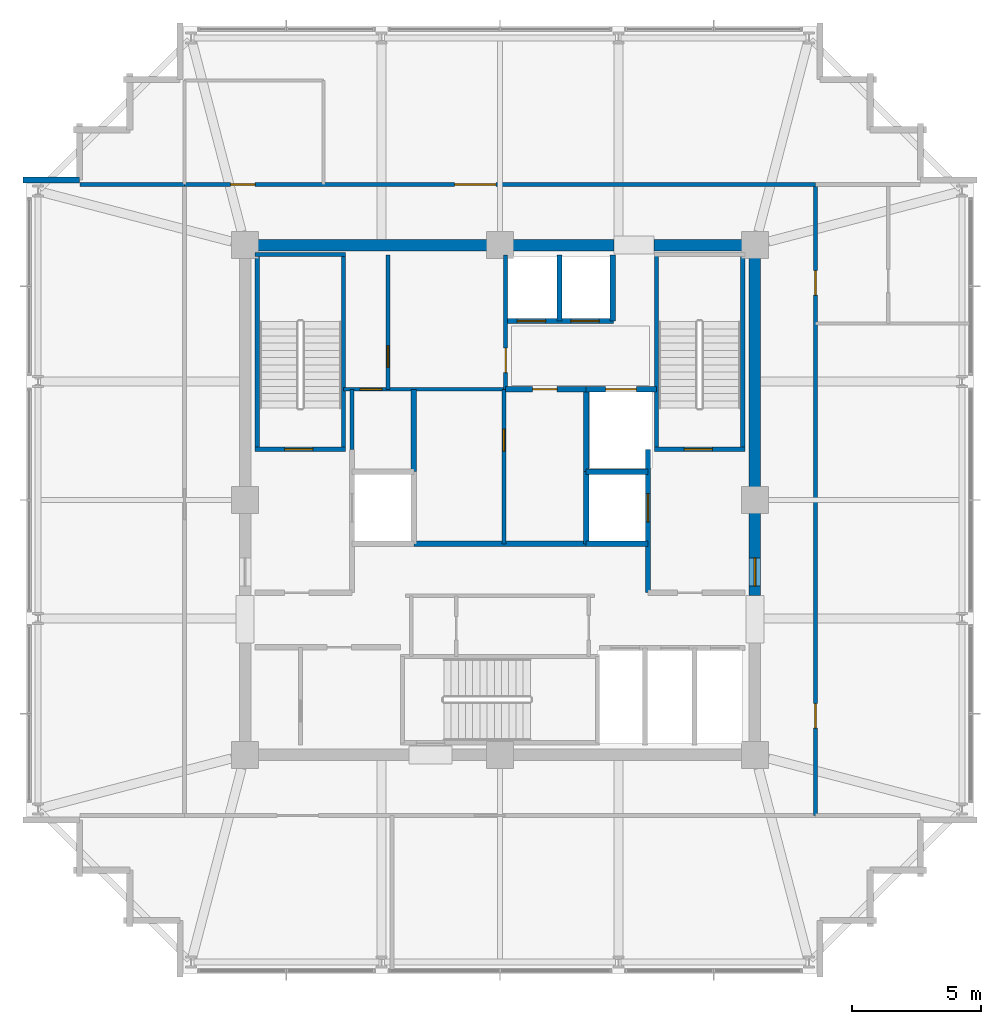
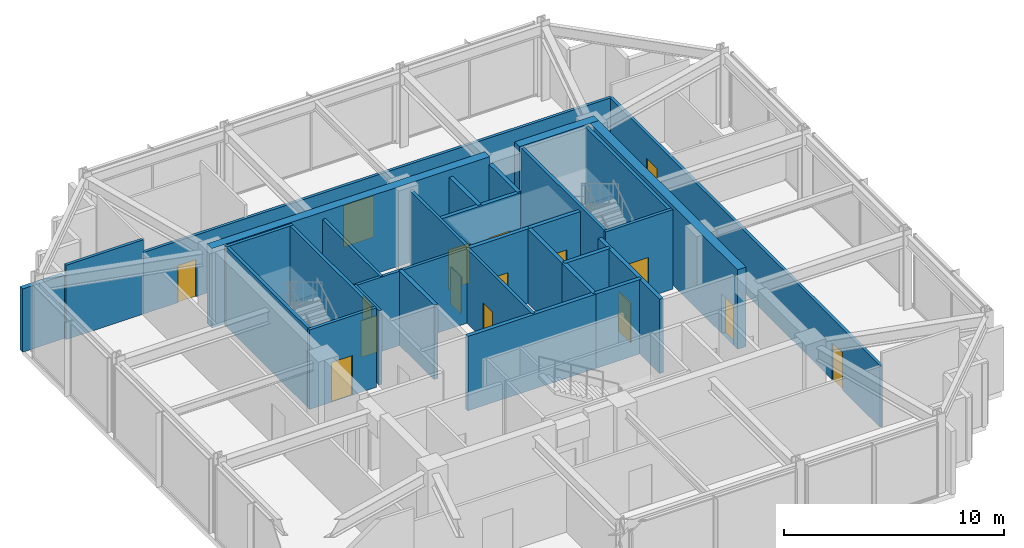
# One storey, part 24 of 26: 31 walls, 16 doors, 16 openings.
"""IFC4 building model written with IfcOpenShell, lengths in metres."""

from ifc_helpers import new_model, si_unit, direction, frame, frame_2d, origin, place, context, subcontext, project, spatial, rectangle, extrude, material, layer, layer_set, type_object, element, fill, save


model = new_model("IFC4")

# Units and contexts
model_context = context("Model", 3, precision=1e-05, world=origin(), true_north=direction((0.0, 1.0)))
body_context = subcontext(model_context, "Body", "Model", "MODEL_VIEW")
ifc_project = project(units=[si_unit("LENGTHUNIT", "METRE"), si_unit("AREAUNIT", "SQUARE_METRE"), si_unit("VOLUMEUNIT", "CUBIC_METRE"), si_unit("PLANEANGLEUNIT", "RADIAN"), si_unit("MASSUNIT", "GRAM", prefix="KILO")], contexts=[model_context])

# Site, building, storey
site_placement = place(None, origin())
site = spatial("IfcSite", under=ifc_project, at=site_placement, CompositionType="ELEMENT")
building_placement = place(site_placement, origin())
building = spatial("IfcBuilding", under=site, at=building_placement, Name="Kolvaren Belvedere", CompositionType="ELEMENT")
storey_placement = place(building_placement, frame((0.0, 0.0, 258.39990234375)))
storey = spatial("IfcBuildingStorey", under=building, at=storey_placement, Name="L75", CompositionType="ELEMENT", Elevation=258.39990234375)

# Walls
ifc_material_1 = material(Name="Concrete C50/60", Category="concrete")
ifc_layer_1 = layer(ifc_material_1, 0.449951171875)
ifc_layer_set_1 = layer_set([ifc_layer_1], Name="Concrete C50/60")
wall_type_1 = type_object("IfcWallType", Name="CW-CORE-450", PredefinedType="SHEAR", material=ifc_layer_set_1)
wall_1_placement = place(storey_placement, frame((-10.125, 9.89990234375, 0.0), z_axis=(0.0, 0.0, 1.0), x_axis=(1.0, 0.0, 0.0)))
element("IfcWall", 1, at=wall_1_placement, inside=storey, type_object=wall_type_1, Name="L75 North Core Shear Wall 1", PredefinedType="SHEAR", context=body_context, shape_type="SweptSolid", body=[
    extrude(rectangle(XDim=14.544921875, YDim=0.449951171875, at=frame_2d((7.2724609375, 0.0))), origin(), (0.0, 0.0, 1.0), 4.400146484375),
])
wall_2_placement = place(storey_placement, frame((5.97998046875, 9.89990234375, 0.0), z_axis=(0.0, 0.0, 1.0), x_axis=(1.0, 0.0, 0.0)))
element("IfcWall", 2, at=wall_2_placement, inside=storey, type_object=wall_type_1, Name="L75 North Core Shear Wall 2", PredefinedType="SHEAR", context=body_context, shape_type="SweptSolid", body=[
    extrude(rectangle(XDim=4.14501953125, YDim=0.449951171875, at=frame_2d((2.072509765625, 0.0))), origin(), (0.0, 0.0, 1.0), 4.400146484375),
])

# Wall, opening, door
wall_3_placement = place(storey_placement, frame((9.89990234375, -3.699951171875, 0.0), z_axis=(0.0, 0.0, 1.0), x_axis=(0.0, 1.0, 0.0)))
wall_3 = element("IfcWall", 3, at=wall_3_placement, inside=storey, type_object=wall_type_1, Name="L75 East Core Shear Wall 2", PredefinedType="SHEAR", context=body_context, shape_type="SweptSolid", body=[
    extrude(rectangle(XDim=13.375, YDim=0.449951171875, at=frame_2d((6.6875, 0.0))), origin(), (0.0, 0.0, 1.0), 4.400146484375),
])
opening_1_placement = place(wall_3_placement, frame((0.35009765625, 0.0, 0.0)))
opening_1 = element("IfcOpeningElement", 4, at=opening_1_placement, cuts=wall_3, Name="Opening D-FD90", PredefinedType="OPENING", context=body_context, shape_type="SweptSolid", body=[
    extrude(rectangle(XDim=1.10009765625, YDim=2.199951171875, at=frame_2d((0.550048828125, 1.10009765625))), frame((0.0, 0.23486328125, 0.0), z_axis=(0.0, -1.0, 0.0), x_axis=(1.0, 0.0, 0.0)), (0.0, 0.0, 1.0), 0.469970703125),
])
ifc_material_2 = material(Name="Painted hollow stainless steel", Category="steel")
door_type_1 = type_object("IfcDoorType", Name="DR-FD90-1100", OperationType="NOTDEFINED", PredefinedType="DOOR", material=ifc_material_2)
door_1_placement = place(opening_1_placement, origin())
door_1 = element("IfcDoor", 5, at=door_1_placement, inside=storey, type_object=door_type_1, Name="L75 East Firefighting Lobby Fire Door", OperationType="SINGLE_SWING_RIGHT", OverallHeight=2.199951171875, OverallWidth=1.10009765625, PredefinedType="DOOR", context=body_context, shape_type="SweptSolid", body=[
    extrude(rectangle(XDim=1.10009765625, YDim=2.199951171875, at=frame_2d((0.550048828125, 1.10009765625))), frame((0.0, 0.02490234375, 0.0), z_axis=(0.0, -1.0, 0.0), x_axis=(1.0, 0.0, 0.0)), (0.0, 0.0, 1.0), 0.050048828125),
])
fill(opening_1, door_1)

ifc_material_3 = material(Name="Concrete C50/60", Category="concrete")
ifc_layer_2 = layer(ifc_material_3, 0.159912109375)
ifc_layer_set_2 = layer_set([ifc_layer_2], Name="Concrete C50/60")
wall_type_2 = type_object("IfcWallType", Name="CW-STAIR-160", PredefinedType="SHEAR", material=ifc_layer_set_2)
wall_4_placement = place(storey_placement, frame((-9.52001953125, 1.969970703125, 0.0), z_axis=(0.0, 0.0, 1.0), x_axis=(1.0, 0.0, 0.0)))
wall_4 = element("IfcWall", 6, at=wall_4_placement, inside=storey, type_object=wall_type_2, Name="L75 Stair ST-1 South Shear Wall", PredefinedType="SHEAR", context=body_context, shape_type="SweptSolid", body=[
    extrude(rectangle(XDim=3.52001953125, YDim=0.159912109375, at=frame_2d((1.760009765625, 0.0))), origin(), (0.0, 0.0, 1.0), 4.400146484375),
])
opening_2_placement = place(wall_4_placement, frame((1.14990234375, 0.0, 0.0)))
opening_2 = element("IfcOpeningElement", 7, at=opening_2_placement, cuts=wall_4, Name="Opening D-FD90", PredefinedType="OPENING", context=body_context, shape_type="SweptSolid", body=[
    extrude(rectangle(XDim=1.10009765625, YDim=2.199951171875, at=frame_2d((0.550048828125, 1.10009765625))), frame((0.0, 0.08984375, 0.0), z_axis=(0.0, -1.0, 0.0), x_axis=(1.0, 0.0, 0.0)), (0.0, 0.0, 1.0), 0.179931640625),
])
door_2_placement = place(opening_2_placement, origin())
door_2 = element("IfcDoor", 8, at=door_2_placement, inside=storey, type_object=door_type_1, Name="L75 Stair ST-1 Fire Door", OperationType="SINGLE_SWING_LEFT", OverallHeight=2.199951171875, OverallWidth=1.10009765625, PredefinedType="DOOR", context=body_context, shape_type="SweptSolid", body=[
    extrude(rectangle(XDim=1.10009765625, YDim=2.199951171875, at=frame_2d((0.550048828125, 1.10009765625))), frame((0.0, 0.02490234375, 0.0), z_axis=(0.0, -1.0, 0.0), x_axis=(1.0, 0.0, 0.0)), (0.0, 0.0, 1.0), 0.050048828125),
])
fill(opening_2, door_2)

# Walls
wall_5_placement = place(storey_placement, frame((-9.52001953125, 9.530029296875, 0.0), z_axis=(0.0, 0.0, 1.0), x_axis=(1.0, 0.0, 0.0)))
element("IfcWall", 9, at=wall_5_placement, inside=storey, type_object=wall_type_2, Name="L75 Stair ST-1 North Shear Wall", PredefinedType="SHEAR", context=body_context, shape_type="SweptSolid", body=[
    extrude(rectangle(XDim=3.52001953125, YDim=0.159912109375, at=frame_2d((1.760009765625, 0.0))), origin(), (0.0, 0.0, 1.0), 4.400146484375),
])
for number, where, z_axis, x_axis, name in (
    (10, (-9.429931640625, 1.969970703125, 0.0), (0.0, 0.0, 1.0), (0.0, 1.0, 0.0), "L75 Stair ST-1 West Shear Wall"),
    (11, (-6.080078125, 1.969970703125, 0.0), (0.0, 0.0, 1.0), (0.0, 1.0, 0.0), "L75 Stair ST-1 East Shear Wall"),
):
    element("IfcWall", number, at=place(storey_placement, frame(where, z_axis=z_axis, x_axis=x_axis)), inside=storey, type_object=wall_type_2, Name=name, PredefinedType="SHEAR", context=body_context, shape_type="SweptSolid", body=[
        extrude(rectangle(XDim=7.56005859375, YDim=0.159912109375, at=frame_2d((3.780029296875, 0.0))), origin(), (0.0, 0.0, 1.0), 4.400146484375),
    ])

# Wall, opening, door
wall_6_placement = place(storey_placement, frame((6.0, 1.969970703125, 0.0), z_axis=(0.0, 0.0, 1.0), x_axis=(1.0, 0.0, 0.0)))
wall_6 = element("IfcWall", 12, at=wall_6_placement, inside=storey, type_object=wall_type_2, Name="L75 Stair ST-2 South Shear Wall", PredefinedType="SHEAR", context=body_context, shape_type="SweptSolid", body=[
    extrude(rectangle(XDim=3.52001953125, YDim=0.159912109375, at=frame_2d((1.760009765625, 0.0))), origin(), (0.0, 0.0, 1.0), 4.400146484375),
])
opening_3_placement = place(wall_6_placement, frame((1.14990234375, 0.0, 0.0)))
opening_3 = element("IfcOpeningElement", 13, at=opening_3_placement, cuts=wall_6, Name="Opening D-FD90", PredefinedType="OPENING", context=body_context, shape_type="SweptSolid", body=[
    extrude(rectangle(XDim=1.10009765625, YDim=2.199951171875, at=frame_2d((0.550048828125, 1.10009765625))), frame((0.0, 0.08984375, 0.0), z_axis=(0.0, -1.0, 0.0), x_axis=(1.0, 0.0, 0.0)), (0.0, 0.0, 1.0), 0.179931640625),
])
door_3_placement = place(opening_3_placement, origin())
door_3 = element("IfcDoor", 14, at=door_3_placement, inside=storey, type_object=door_type_1, Name="L75 Stair ST-2 Fire Door", OperationType="SINGLE_SWING_RIGHT", OverallHeight=2.199951171875, OverallWidth=1.10009765625, PredefinedType="DOOR", context=body_context, shape_type="SweptSolid", body=[
    extrude(rectangle(XDim=1.10009765625, YDim=2.199951171875, at=frame_2d((0.550048828125, 1.10009765625))), frame((0.0, 0.02490234375, 0.0), z_axis=(0.0, -1.0, 0.0), x_axis=(1.0, 0.0, 0.0)), (0.0, 0.0, 1.0), 0.050048828125),
])
fill(opening_3, door_3)

# Walls
for number, where, z_axis, x_axis, name in (
    (15, (6.080078125, 1.969970703125, 0.0), (0.0, 0.0, 1.0), (0.0, 1.0, 0.0), "L75 Stair ST-2 West Shear Wall"),
    (16, (9.429931640625, 1.969970703125, 0.0), (0.0, 0.0, 1.0), (0.0, 1.0, 0.0), "L75 Stair ST-2 East Shear Wall"),
):
    element("IfcWall", number, at=place(storey_placement, frame(where, z_axis=z_axis, x_axis=x_axis)), inside=storey, type_object=wall_type_2, Name=name, PredefinedType="SHEAR", context=body_context, shape_type="SweptSolid", body=[
        extrude(rectangle(XDim=7.56005859375, YDim=0.159912109375, at=frame_2d((3.780029296875, 0.0))), origin(), (0.0, 0.0, 1.0), 4.400146484375),
    ])

# Wall, openings, doors
ifc_material_4 = material(Name="Gypsum fire-rated partition assembly", Category="gypsum")
ifc_layer_3 = layer(ifc_material_4, 0.14990234375)
ifc_layer_set_3 = layer_set([ifc_layer_3], Name="Gypsum fire-rated partition assembly")
wall_type_3 = type_object("IfcWallType", Name="WL-CORR-150", PredefinedType="PARTITIONING", material=ifc_layer_set_3)
wall_7_placement = place(storey_placement, frame((-12.260009765625, 12.260009765625, 0.0), z_axis=(0.0, 0.0, 1.0), x_axis=(1.0, 0.0, 0.0)))
wall_7 = element("IfcWall", 17, at=wall_7_placement, inside=storey, type_object=wall_type_3, Name="L75 North Corridor Wall", PredefinedType="PARTITIONING", context=body_context, shape_type="SweptSolid", body=[
    extrude(rectangle(XDim=24.52001953125, YDim=0.14990234375, at=frame_2d((12.260009765625, 0.0))), origin(), (0.0, 0.0, 1.0), 3.4091796875),
])
opening_4_placement = place(wall_7_placement, frame((1.800048828125, 0.0, 0.0)))
opening_4 = element("IfcOpeningElement", 18, at=opening_4_placement, cuts=wall_7, Name="Opening D-INT95", PredefinedType="OPENING", context=body_context, shape_type="SweptSolid", body=[
    extrude(rectangle(XDim=0.949951171875, YDim=2.06005859375, at=frame_2d((0.47509765625, 1.030029296875))), frame((0.0, 0.0849609375, 0.0), z_axis=(0.0, -1.0, 0.0), x_axis=(1.0, 0.0, 0.0)), (0.0, 0.0, 1.0), 0.169921875),
])
opening_5_placement = place(wall_7_placement, frame((10.5, 0.0, 0.0)))
opening_5 = element("IfcOpeningElement", 19, at=opening_5_placement, cuts=wall_7, Name="Opening D-GL16", PredefinedType="OPENING", context=body_context, shape_type="SweptSolid", body=[
    extrude(rectangle(XDim=1.60009765625, YDim=2.300048828125, at=frame_2d((0.800048828125, 1.14990234375))), frame((0.0, 0.0849609375, 0.0), z_axis=(0.0, -1.0, 0.0), x_axis=(1.0, 0.0, 0.0)), (0.0, 0.0, 1.0), 0.169921875),
])
ifc_material_5 = material(Name="Anodised pale-metal aluminium & safety glass", Category="aluminium")
door_type_2 = type_object("IfcDoorType", Name="DR-GLAZ-1600", OperationType="DOUBLE_DOOR_SINGLE_SWING", PredefinedType="DOOR", material=ifc_material_5)
door_4_placement = place(opening_5_placement, origin())
door_4 = element("IfcDoor", 20, at=door_4_placement, inside=storey, type_object=door_type_2, Name="L75 North Panoramic Lounge Door", OperationType="DOUBLE_DOOR_SINGLE_SWING", OverallHeight=2.300048828125, OverallWidth=1.60009765625, PredefinedType="DOOR", context=body_context, shape_type="SweptSolid", body=[
    extrude(rectangle(XDim=1.60009765625, YDim=2.300048828125, at=frame_2d((0.800048828125, 1.14990234375))), frame((0.0, 0.02490234375, 0.0), z_axis=(0.0, -1.0, 0.0), x_axis=(1.0, 0.0, 0.0)), (0.0, 0.0, 1.0), 0.050048828125),
])
fill(opening_5, door_4)
ifc_material_6 = material(Name="Stained Pacific white oak", Category="timber")
door_type_3 = type_object("IfcDoorType", Name="DR-INT-950", OperationType="NOTDEFINED", PredefinedType="DOOR", material=ifc_material_6)
door_5_placement = place(opening_4_placement, origin())
door_5 = element("IfcDoor", 21, at=door_5_placement, inside=storey, type_object=door_type_3, Name="L75 Accessible Lounge Washroom Door", OperationType="SINGLE_SWING_LEFT", OverallHeight=2.06005859375, OverallWidth=0.949951171875, PredefinedType="DOOR", context=body_context, shape_type="SweptSolid", body=[
    extrude(rectangle(XDim=0.949951171875, YDim=2.06005859375, at=frame_2d((0.47509765625, 1.030029296875))), frame((0.0, 0.02490234375, 0.0), z_axis=(0.0, -1.0, 0.0), x_axis=(1.0, 0.0, 0.0)), (0.0, 0.0, 1.0), 0.050048828125),
])
fill(opening_4, door_5)

wall_8_placement = place(storey_placement, frame((12.260009765625, -12.260009765625, 0.0), z_axis=(0.0, 0.0, 1.0), x_axis=(0.0, 1.0, 0.0)))
wall_8 = element("IfcWall", 22, at=wall_8_placement, inside=storey, type_object=wall_type_3, Name="L75 East Corridor Wall", PredefinedType="PARTITIONING", context=body_context, shape_type="SweptSolid", body=[
    extrude(rectangle(XDim=24.52001953125, YDim=0.14990234375, at=frame_2d((12.260009765625, 0.0))), origin(), (0.0, 0.0, 1.0), 3.4091796875),
])
opening_6_placement = place(wall_8_placement, frame((3.39990234375, 0.0, 0.0)))
opening_6 = element("IfcOpeningElement", 23, at=opening_6_placement, cuts=wall_8, Name="Opening D-FD60", PredefinedType="OPENING", context=body_context, shape_type="SweptSolid", body=[
    extrude(rectangle(XDim=0.949951171875, YDim=2.06005859375, at=frame_2d((0.47509765625, 1.030029296875))), frame((0.0, 0.0849609375, 0.0), z_axis=(0.0, -1.0, 0.0), x_axis=(1.0, 0.0, 0.0)), (0.0, 0.0, 1.0), 0.169921875),
])
opening_7_placement = place(wall_8_placement, frame((20.219970703125, 0.0, 0.0)))
opening_7 = element("IfcOpeningElement", 24, at=opening_7_placement, cuts=wall_8, Name="Opening D-INT95", PredefinedType="OPENING", context=body_context, shape_type="SweptSolid", body=[
    extrude(rectangle(XDim=0.949951171875, YDim=2.06005859375, at=frame_2d((0.47509765625, 1.030029296875))), frame((0.0, 0.0849609375, 0.0), z_axis=(0.0, -1.0, 0.0), x_axis=(1.0, 0.0, 0.0)), (0.0, 0.0, 1.0), 0.169921875),
])
ifc_material_7 = material(Name="Acoustic white-oak fire door leaf", Category="timber")
door_type_4 = type_object("IfcDoorType", Name="DR-FD60-950", OperationType="NOTDEFINED", PredefinedType="DOOR", material=ifc_material_7)
door_6_placement = place(opening_6_placement, origin())
door_6 = element("IfcDoor", 25, at=door_6_placement, inside=storey, type_object=door_type_4, Name="L75 Sky Culinary Prep Kitchen Door", OperationType="SINGLE_SWING_LEFT", OverallHeight=2.06005859375, OverallWidth=0.949951171875, PredefinedType="DOOR", context=body_context, shape_type="SweptSolid", body=[
    extrude(rectangle(XDim=0.949951171875, YDim=2.06005859375, at=frame_2d((0.47509765625, 1.030029296875))), frame((0.0, 0.02490234375, 0.0), z_axis=(0.0, -1.0, 0.0), x_axis=(1.0, 0.0, 0.0)), (0.0, 0.0, 1.0), 0.050048828125),
])
fill(opening_6, door_6)
door_7_placement = place(opening_7_placement, origin())
door_7 = element("IfcDoor", 26, at=door_7_placement, inside=storey, type_object=door_type_3, Name="L75 Sky Lounge Washroom Door", OperationType="SINGLE_SWING_RIGHT", OverallHeight=2.06005859375, OverallWidth=0.949951171875, PredefinedType="DOOR", context=body_context, shape_type="SweptSolid", body=[
    extrude(rectangle(XDim=0.949951171875, YDim=2.06005859375, at=frame_2d((0.47509765625, 1.030029296875))), frame((0.0, 0.02490234375, 0.0), z_axis=(0.0, -1.0, 0.0), x_axis=(1.0, 0.0, 0.0)), (0.0, 0.0, 1.0), 0.050048828125),
])
fill(opening_7, door_7)

# Walls
wall_9_placement = place(storey_placement, frame((-16.320068359375, 12.260009765625, 0.0), z_axis=(0.0, 0.0, 1.0), x_axis=(1.0, 0.0, 0.0)))
element("IfcWall", 27, at=wall_9_placement, inside=storey, type_object=wall_type_3, Name="L75 Sector Wall PW-L75-QNW", PredefinedType="PARTITIONING", context=body_context, shape_type="SweptSolid", body=[
    extrude(rectangle(XDim=4.06005859375, YDim=0.14990234375, at=frame_2d((2.030029296875, 0.0))), origin(), (0.0, 0.0, 1.0), 4.1201171875),
])
ifc_material_8 = material(Name="Insulated pale-metal facade wall assembly", Category="aluminium")
ifc_layer_4 = layer(ifc_material_8, 0.239990234375)
ifc_layer_set_4 = layer_set([ifc_layer_4], Name="Insulated pale-metal facade wall assembly")
wall_type_4 = type_object("IfcWallType", Name="WL-EXT-240", PredefinedType="STANDARD", material=ifc_layer_set_4)
wall_10_placement = place(storey_placement, frame((-18.52001953125, 12.429931640625, 0.0), z_axis=(0.0, 0.0, 1.0), x_axis=(1.0, 0.0, 0.0)))
element("IfcWall", 28, at=wall_10_placement, inside=storey, type_object=wall_type_4, Name="L75 Serrated Corner Facade Wall 21", PredefinedType="STANDARD", context=body_context, shape_type="SweptSolid", body=[
    extrude(rectangle(XDim=2.18994140625, YDim=0.239990234375, at=frame_2d((1.094970703125, 0.0))), origin(), (0.0, 0.0, 1.0), 3.503173828125),
])

# Wall, opening, door
ifc_material_9 = material(Name="Gypsum acoustic partition assembly", Category="gypsum")
ifc_layer_5 = layer(ifc_material_9, 0.14990234375)
ifc_layer_set_5 = layer_set([ifc_layer_5], Name="Gypsum acoustic partition assembly")
wall_type_5 = type_object("IfcWallType", Name="WL-PART-150", PredefinedType="PARTITIONING", material=ifc_layer_set_5)
wall_11_placement = place(storey_placement, frame((-6.080078125, 4.300048828125, 0.0), z_axis=(0.0, 0.0, 1.0), x_axis=(1.0, 0.0, 0.0)))
wall_11 = element("IfcWall", 29, at=wall_11_placement, inside=storey, type_object=wall_type_5, Name="L75 Reclaimed Salon South Wall", PredefinedType="PARTITIONING", context=body_context, shape_type="SweptSolid", body=[
    extrude(rectangle(XDim=6.300048828125, YDim=0.14990234375, at=frame_2d((3.14990234375, 0.0))), origin(), (0.0, 0.0, 1.0), 4.1201171875),
])
opening_8_placement = place(wall_11_placement, frame((0.64990234375, 0.0, 0.0)))
opening_8 = element("IfcOpeningElement", 30, at=opening_8_placement, cuts=wall_11, Name="Opening D-INT85", PredefinedType="OPENING", context=body_context, shape_type="SweptSolid", body=[
    extrude(rectangle(XDim=0.85009765625, YDim=2.030029296875, at=frame_2d((0.425048828125, 1.01513671875))), frame((0.0, 0.0849609375, 0.0), z_axis=(0.0, -1.0, 0.0), x_axis=(1.0, 0.0, 0.0)), (0.0, 0.0, 1.0), 0.169921875),
])
ifc_material_10 = material(Name="Stained Pacific white oak", Category="timber")
door_type_5 = type_object("IfcDoorType", Name="DR-INT-850", OperationType="NOTDEFINED", PredefinedType="DOOR", material=ifc_material_10)
door_8_placement = place(opening_8_placement, origin())
door_8 = element("IfcDoor", 31, at=door_8_placement, inside=storey, type_object=door_type_5, Name="L75 NW Core Store Door", OperationType="SINGLE_SWING_RIGHT", OverallHeight=2.030029296875, OverallWidth=0.85009765625, PredefinedType="DOOR", context=body_context, shape_type="SweptSolid", body=[
    extrude(rectangle(XDim=0.85009765625, YDim=2.030029296875, at=frame_2d((0.425048828125, 1.01513671875))), frame((0.0, 0.02490234375, 0.0), z_axis=(0.0, -1.0, 0.0), x_axis=(1.0, 0.0, 0.0)), (0.0, 0.0, 1.0), 0.050048828125),
])
fill(opening_8, door_8)

wall_12_placement = place(storey_placement, frame((0.219970703125, 4.300048828125, 0.0), z_axis=(0.0, 0.0, 1.0), x_axis=(0.0, 1.0, 0.0)))
wall_12 = element("IfcWall", 32, at=wall_12_placement, inside=storey, type_object=wall_type_5, Name="L75 Reclaimed Salon East Wall", PredefinedType="PARTITIONING", context=body_context, shape_type="SweptSolid", body=[
    extrude(rectangle(XDim=5.219970703125, YDim=0.14990234375, at=frame_2d((2.60986328125, 0.0))), origin(), (0.0, 0.0, 1.0), 4.1201171875),
])
opening_9_placement = place(wall_12_placement, frame((0.64990234375, 0.0, 0.0)))
opening_9 = element("IfcOpeningElement", 33, at=opening_9_placement, cuts=wall_12, Name="Opening D-INT95", PredefinedType="OPENING", context=body_context, shape_type="SweptSolid", body=[
    extrude(rectangle(XDim=0.949951171875, YDim=2.06005859375, at=frame_2d((0.47509765625, 1.030029296875))), frame((0.0, 0.0849609375, 0.0), z_axis=(0.0, -1.0, 0.0), x_axis=(1.0, 0.0, 0.0)), (0.0, 0.0, 1.0), 0.169921875),
])
door_9_placement = place(opening_9_placement, origin())
door_9 = element("IfcDoor", 34, at=door_9_placement, inside=storey, type_object=door_type_3, Name="L75 Art Salon Door", OperationType="SINGLE_SWING_LEFT", OverallHeight=2.06005859375, OverallWidth=0.949951171875, PredefinedType="DOOR", context=body_context, shape_type="SweptSolid", body=[
    extrude(rectangle(XDim=0.949951171875, YDim=2.06005859375, at=frame_2d((0.47509765625, 1.030029296875))), frame((0.0, 0.02490234375, 0.0), z_axis=(0.0, -1.0, 0.0), x_axis=(1.0, 0.0, 0.0)), (0.0, 0.0, 1.0), 0.050048828125),
])
fill(opening_9, door_9)

wall_13_placement = place(storey_placement, frame((-4.35009765625, 4.300048828125, 0.0), z_axis=(0.0, 0.0, 1.0), x_axis=(0.0, 1.0, 0.0)))
wall_13 = element("IfcWall", 35, at=wall_13_placement, inside=storey, type_object=wall_type_5, Name="L75 Reclaimed Archive Divider", PredefinedType="PARTITIONING", context=body_context, shape_type="SweptSolid", body=[
    extrude(rectangle(XDim=5.219970703125, YDim=0.14990234375, at=frame_2d((2.60986328125, 0.0))), origin(), (0.0, 0.0, 1.0), 4.1201171875),
])
opening_10_placement = place(wall_13_placement, frame((0.85009765625, 0.0, 0.0)))
opening_10 = element("IfcOpeningElement", 36, at=opening_10_placement, cuts=wall_13, Name="Opening D-INT85", PredefinedType="OPENING", context=body_context, shape_type="SweptSolid", body=[
    extrude(rectangle(XDim=0.85009765625, YDim=2.030029296875, at=frame_2d((0.425048828125, 1.01513671875))), frame((0.0, 0.0849609375, 0.0), z_axis=(0.0, -1.0, 0.0), x_axis=(1.0, 0.0, 0.0)), (0.0, 0.0, 1.0), 0.169921875),
])
door_10_placement = place(opening_10_placement, origin())
door_10 = element("IfcDoor", 37, at=door_10_placement, inside=storey, type_object=door_type_5, Name="L75 Archive Store Door", OperationType="SINGLE_SWING_RIGHT", OverallHeight=2.030029296875, OverallWidth=0.85009765625, PredefinedType="DOOR", context=body_context, shape_type="SweptSolid", body=[
    extrude(rectangle(XDim=0.85009765625, YDim=2.030029296875, at=frame_2d((0.425048828125, 1.01513671875))), frame((0.0, 0.02490234375, 0.0), z_axis=(0.0, -1.0, 0.0), x_axis=(1.0, 0.0, 0.0)), (0.0, 0.0, 1.0), 0.050048828125),
])
fill(opening_10, door_10)

wall_14_placement = place(storey_placement, frame((0.14990234375, -1.699951171875, 0.0), z_axis=(0.0, 0.0, 1.0), x_axis=(0.0, 1.0, 0.0)))
wall_14 = element("IfcWall", 38, at=wall_14_placement, inside=storey, type_object=wall_type_5, Name="L75 Central Core V-Divider", PredefinedType="PARTITIONING", context=body_context, shape_type="SweptSolid", body=[
    extrude(rectangle(XDim=6.0, YDim=0.14990234375, at=frame_2d((3.0, 0.0))), origin(), (0.0, 0.0, 1.0), 4.1201171875),
])
opening_11_placement = place(wall_14_placement, frame((3.60009765625, 0.0, 0.0)))
opening_11 = element("IfcOpeningElement", 39, at=opening_11_placement, cuts=wall_14, Name="Opening D-INT85", PredefinedType="OPENING", context=body_context, shape_type="SweptSolid", body=[
    extrude(rectangle(XDim=0.85009765625, YDim=2.030029296875, at=frame_2d((0.425048828125, 1.01513671875))), frame((0.0, 0.0849609375, 0.0), z_axis=(0.0, -1.0, 0.0), x_axis=(1.0, 0.0, 0.0)), (0.0, 0.0, 1.0), 0.169921875),
])
door_11_placement = place(opening_11_placement, origin())
door_11 = element("IfcDoor", 40, at=door_11_placement, inside=storey, type_object=door_type_5, Name="L75 Central Linen Door", OperationType="SINGLE_SWING_RIGHT", OverallHeight=2.030029296875, OverallWidth=0.85009765625, PredefinedType="DOOR", context=body_context, shape_type="SweptSolid", body=[
    extrude(rectangle(XDim=0.85009765625, YDim=2.030029296875, at=frame_2d((0.425048828125, 1.01513671875))), frame((0.0, 0.02490234375, 0.0), z_axis=(0.0, -1.0, 0.0), x_axis=(1.0, 0.0, 0.0)), (0.0, 0.0, 1.0), 0.050048828125),
])
fill(opening_11, door_11)

# Wall
wall_15_placement = place(storey_placement, frame((-5.75, 1.969970703125, 0.0), z_axis=(0.0, 0.0, 1.0), x_axis=(0.0, 1.0, 0.0)))
element("IfcWall", 41, at=wall_15_placement, inside=storey, type_object=wall_type_5, Name="L75 NW Service Room West Wall", PredefinedType="PARTITIONING", context=body_context, shape_type="SweptSolid", body=[
    extrude(rectangle(XDim=2.330078125, YDim=0.14990234375, at=frame_2d((1.1650390625, 0.0))), origin(), (0.0, 0.0, 1.0), 4.1201171875),
])

# Wall, opening, door
ifc_material_11 = material(Name="Concrete C50/60", Category="concrete")
ifc_layer_6 = layer(ifc_material_11, 0.199951171875)
ifc_layer_set_6 = layer_set([ifc_layer_6], Name="Concrete C50/60")
wall_type_6 = type_object("IfcWallType", Name="WL-SHAFT-200", PredefinedType="SOLIDWALL", material=ifc_layer_set_6)
wall_16_placement = place(storey_placement, frame((5.75, -3.60009765625, 0.0), z_axis=(0.0, 0.0, 1.0), x_axis=(0.0, 1.0, 0.0)))
wall_16 = element("IfcWall", 42, at=wall_16_placement, inside=storey, type_object=wall_type_6, Name="L75 FSAE FS2 Landing Wall", PredefinedType="SOLIDWALL", context=body_context, shape_type="SweptSolid", body=[
    extrude(rectangle(XDim=5.570068359375, YDim=0.199951171875, at=frame_2d((2.78515625, 0.0))), origin(), (0.0, 0.0, 1.0), 4.1201171875),
])
opening_12_placement = place(wall_16_placement, frame((2.75, 0.0, 0.0)))
opening_12 = element("IfcOpeningElement", 43, at=opening_12_placement, cuts=wall_16, Name="Opening LD-11", PredefinedType="OPENING", context=body_context, shape_type="SweptSolid", body=[
    extrude(rectangle(XDim=1.10009765625, YDim=2.199951171875, at=frame_2d((0.550048828125, 1.10009765625))), frame((0.0, 0.10986328125, 0.0), z_axis=(0.0, -1.0, 0.0), x_axis=(1.0, 0.0, 0.0)), (0.0, 0.0, 1.0), 0.219970703125),
])
ifc_material_12 = material(Name="Brushed stainless steel", Category="steel")
door_type_6 = type_object("IfcDoorType", Name="DR-LIFT-1100", OperationType="DOUBLE_DOOR_SLIDING", PredefinedType="DOOR", material=ifc_material_12)
door_12_placement = place(opening_12_placement, origin())
door_12 = element("IfcDoor", 44, at=door_12_placement, inside=storey, type_object=door_type_6, Name="L75 Firefighting Lift FS2 Landing Door", OperationType="DOUBLE_DOOR_SLIDING", OverallHeight=2.199951171875, OverallWidth=1.10009765625, PredefinedType="DOOR", context=body_context, shape_type="SweptSolid", body=[
    extrude(rectangle(XDim=1.10009765625, YDim=2.199951171875, at=frame_2d((0.550048828125, 1.10009765625))), frame((0.0, 0.02490234375, 0.0), z_axis=(0.0, -1.0, 0.0), x_axis=(1.0, 0.0, 0.0)), (0.0, 0.0, 1.0), 0.050048828125),
])
fill(opening_12, door_12)

# Walls
wall_17_placement = place(storey_placement, frame((3.35009765625, -1.699951171875, 0.0), z_axis=(0.0, 0.0, 1.0), x_axis=(0.0, 1.0, 0.0)))
element("IfcWall", 45, at=wall_17_placement, inside=storey, type_object=wall_type_6, Name="L75 FSAE FS2 Back Wall", PredefinedType="SOLIDWALL", context=body_context, shape_type="SweptSolid", body=[
    extrude(rectangle(XDim=2.800048828125, YDim=0.199951171875, at=frame_2d((1.39990234375, 0.0))), origin(), (0.0, 0.0, 1.0), 4.1201171875),
])
for number, where, z_axis, x_axis, name in (
    (46, (3.35009765625, -1.699951171875, 0.0), (0.0, 0.0, 1.0), (1.0, 0.0, 0.0), "L75 FSAE FS2 South Wall"),
    (47, (3.35009765625, 1.10009765625, 0.0), (0.0, 0.0, 1.0), (1.0, 0.0, 0.0), "L75 FSAE FS2 North Wall"),
):
    element("IfcWall", number, at=place(storey_placement, frame(where, z_axis=z_axis, x_axis=x_axis)), inside=storey, type_object=wall_type_6, Name=name, PredefinedType="SOLIDWALL", context=body_context, shape_type="SweptSolid", body=[
        extrude(rectangle(XDim=2.39990234375, YDim=0.199951171875, at=frame_2d((1.199951171875, 0.0))), origin(), (0.0, 0.0, 1.0), 4.1201171875),
    ])

# Wall, opening, door
wall_18_placement = place(storey_placement, frame((3.35009765625, 4.300048828125, 0.0), z_axis=(0.0, 0.0, 1.0), x_axis=(1.0, 0.0, 0.0)))
wall_18 = element("IfcWall", 48, at=wall_18_placement, inside=storey, type_object=wall_type_6, Name="L75 Service Lift SV1 Front Wall", PredefinedType="SOLIDWALL", context=body_context, shape_type="SweptSolid", body=[
    extrude(rectangle(XDim=2.72998046875, YDim=0.199951171875, at=frame_2d((1.364990234375, 0.0))), origin(), (0.0, 0.0, 1.0), 4.1201171875),
])
opening_13_placement = place(wall_18_placement, frame((0.75, 0.0, 0.0)))
opening_13 = element("IfcOpeningElement", 49, at=opening_13_placement, cuts=wall_18, Name="Opening LD-12", PredefinedType="OPENING", context=body_context, shape_type="SweptSolid", body=[
    extrude(rectangle(XDim=1.199951171875, YDim=2.25, at=frame_2d((0.60009765625, 1.125))), frame((0.0, 0.10986328125, 0.0), z_axis=(0.0, -1.0, 0.0), x_axis=(1.0, 0.0, 0.0)), (0.0, 0.0, 1.0), 0.219970703125),
])
ifc_material_13 = material(Name="Brushed stainless steel", Category="steel")
door_type_7 = type_object("IfcDoorType", Name="DR-LIFT-1200", OperationType="DOUBLE_DOOR_SLIDING", PredefinedType="DOOR", material=ifc_material_13)
door_13_placement = place(opening_13_placement, origin())
door_13 = element("IfcDoor", 50, at=door_13_placement, inside=storey, type_object=door_type_7, Name="L75 Service Lift SV1 Landing Door", OperationType="DOUBLE_DOOR_SLIDING", OverallHeight=2.25, OverallWidth=1.199951171875, PredefinedType="DOOR", context=body_context, shape_type="SweptSolid", body=[
    extrude(rectangle(XDim=1.199951171875, YDim=2.25, at=frame_2d((0.60009765625, 1.125))), frame((0.0, 0.02490234375, 0.0), z_axis=(0.0, -1.0, 0.0), x_axis=(1.0, 0.0, 0.0)), (0.0, 0.0, 1.0), 0.050048828125),
])
fill(opening_13, door_13)

# Wall, openings, doors
wall_19_placement = place(storey_placement, frame((0.219970703125, 6.949951171875, 0.0), z_axis=(0.0, 0.0, 1.0), x_axis=(1.0, 0.0, 0.0)))
wall_19 = element("IfcWall", 51, at=wall_19_placement, inside=storey, type_object=wall_type_6, Name="L75 Express Shuttle Hoistway Wall", PredefinedType="SOLIDWALL", context=body_context, shape_type="SweptSolid", body=[
    extrude(rectangle(XDim=4.179931640625, YDim=0.199951171875, at=frame_2d((2.08984375, 0.0))), origin(), (0.0, 0.0, 1.0), 4.1201171875),
])
opening_14_placement = place(wall_19_placement, frame((0.449951171875, 0.0, 0.0)))
opening_14 = element("IfcOpeningElement", 52, at=opening_14_placement, cuts=wall_19, Name="Opening LD-11", PredefinedType="OPENING", context=body_context, shape_type="SweptSolid", body=[
    extrude(rectangle(XDim=1.10009765625, YDim=2.199951171875, at=frame_2d((0.550048828125, 1.10009765625))), frame((0.0, 0.10986328125, 0.0), z_axis=(0.0, -1.0, 0.0), x_axis=(1.0, 0.0, 0.0)), (0.0, 0.0, 1.0), 0.219970703125),
])
opening_15_placement = place(wall_19_placement, frame((2.530029296875, 0.0, 0.0)))
opening_15 = element("IfcOpeningElement", 53, at=opening_15_placement, cuts=wall_19, Name="Opening LD-11", PredefinedType="OPENING", context=body_context, shape_type="SweptSolid", body=[
    extrude(rectangle(XDim=1.10009765625, YDim=2.199951171875, at=frame_2d((0.550048828125, 1.10009765625))), frame((0.0, 0.10986328125, 0.0), z_axis=(0.0, -1.0, 0.0), x_axis=(1.0, 0.0, 0.0)), (0.0, 0.0, 1.0), 0.219970703125),
])
door_14_placement = place(opening_14_placement, origin())
door_14 = element("IfcDoor", 54, at=door_14_placement, inside=storey, type_object=door_type_6, Name="L75 Express Observation Lift EX1 Landing Door", OperationType="DOUBLE_DOOR_SLIDING", OverallHeight=2.199951171875, OverallWidth=1.10009765625, PredefinedType="DOOR", context=body_context, shape_type="SweptSolid", body=[
    extrude(rectangle(XDim=1.10009765625, YDim=2.199951171875, at=frame_2d((0.550048828125, 1.10009765625))), frame((0.0, 0.02490234375, 0.0), z_axis=(0.0, -1.0, 0.0), x_axis=(1.0, 0.0, 0.0)), (0.0, 0.0, 1.0), 0.050048828125),
])
fill(opening_14, door_14)
door_15_placement = place(opening_15_placement, origin())
door_15 = element("IfcDoor", 55, at=door_15_placement, inside=storey, type_object=door_type_6, Name="L75 Express Observation Lift EX2 Landing Door", OperationType="DOUBLE_DOOR_SLIDING", OverallHeight=2.199951171875, OverallWidth=1.10009765625, PredefinedType="DOOR", context=body_context, shape_type="SweptSolid", body=[
    extrude(rectangle(XDim=1.10009765625, YDim=2.199951171875, at=frame_2d((0.550048828125, 1.10009765625))), frame((0.0, 0.02490234375, 0.0), z_axis=(0.0, -1.0, 0.0), x_axis=(1.0, 0.0, 0.0)), (0.0, 0.0, 1.0), 0.050048828125),
])
fill(opening_15, door_15)

# Walls
for number, where, z_axis, x_axis, name in (
    (56, (4.3798828125, 6.949951171875, 0.0), (0.0, 0.0, 1.0), (0.0, 1.0, 0.0), "L75 Express Shuttle East Wall"),
    (57, (2.31005859375, 6.949951171875, 0.0), (0.0, 0.0, 1.0), (0.0, 1.0, 0.0), "L75 Express Shuttle Divider"),
):
    element("IfcWall", number, at=place(storey_placement, frame(where, z_axis=z_axis, x_axis=x_axis)), inside=storey, type_object=wall_type_6, Name=name, PredefinedType="SOLIDWALL", context=body_context, shape_type="SweptSolid", body=[
        extrude(rectangle(XDim=2.570068359375, YDim=0.199951171875, at=frame_2d((1.28515625, 0.0))), origin(), (0.0, 0.0, 1.0), 4.1201171875),
    ])

# Wall, opening, door
wall_20_placement = place(storey_placement, frame((0.219970703125, 4.300048828125, 0.0), z_axis=(0.0, 0.0, 1.0), x_axis=(1.0, 0.0, 0.0)))
wall_20 = element("IfcWall", 58, at=wall_20_placement, inside=storey, type_object=wall_type_6, Name="L75 Central Core Room North Wall", PredefinedType="SOLIDWALL", context=body_context, shape_type="SweptSolid", body=[
    extrude(rectangle(XDim=3.130126953125, YDim=0.199951171875, at=frame_2d((1.56494140625, 0.0))), origin(), (0.0, 0.0, 1.0), 4.1201171875),
])
opening_16_placement = place(wall_20_placement, frame((1.050048828125, 0.0, 0.0)))
opening_16 = element("IfcOpeningElement", 59, at=opening_16_placement, cuts=wall_20, Name="Opening D-FD60", PredefinedType="OPENING", context=body_context, shape_type="SweptSolid", body=[
    extrude(rectangle(XDim=0.949951171875, YDim=2.06005859375, at=frame_2d((0.47509765625, 1.030029296875))), frame((0.0, 0.10986328125, 0.0), z_axis=(0.0, -1.0, 0.0), x_axis=(1.0, 0.0, 0.0)), (0.0, 0.0, 1.0), 0.219970703125),
])
door_16_placement = place(opening_16_placement, origin())
door_16 = element("IfcDoor", 60, at=door_16_placement, inside=storey, type_object=door_type_4, Name="L75 Central Core Controls Door", OperationType="SINGLE_SWING_LEFT", OverallHeight=2.06005859375, OverallWidth=0.949951171875, PredefinedType="DOOR", context=body_context, shape_type="SweptSolid", body=[
    extrude(rectangle(XDim=0.949951171875, YDim=2.06005859375, at=frame_2d((0.47509765625, 1.030029296875))), frame((0.0, 0.02490234375, 0.0), z_axis=(0.0, -1.0, 0.0), x_axis=(1.0, 0.0, 0.0)), (0.0, 0.0, 1.0), 0.050048828125),
])
fill(opening_16, door_16)

# Walls
wall_21_placement = place(storey_placement, frame((-3.35009765625, -1.699951171875, 0.0), z_axis=(0.0, 0.0, 1.0), x_axis=(1.0, 0.0, 0.0)))
element("IfcWall", 61, at=wall_21_placement, inside=storey, type_object=wall_type_6, Name="L75 Central Core Room South Wall", PredefinedType="SOLIDWALL", context=body_context, shape_type="SweptSolid", body=[
    extrude(rectangle(XDim=6.7001953125, YDim=0.199951171875, at=frame_2d((3.35009765625, 0.0))), origin(), (0.0, 0.0, 1.0), 4.1201171875),
])
for number, where, z_axis, x_axis, name in (
    (62, (-3.35009765625, 1.10009765625, 0.0), (0.0, 0.0, 1.0), (0.0, 1.0, 0.0), "L75 Central Core Room West Wall"),
    (63, (3.35009765625, 1.10009765625, 0.0), (0.0, 0.0, 1.0), (0.0, 1.0, 0.0), "L75 Central Core Room East Wall"),
):
    element("IfcWall", number, at=place(storey_placement, frame(where, z_axis=z_axis, x_axis=x_axis)), inside=storey, type_object=wall_type_6, Name=name, PredefinedType="SOLIDWALL", context=body_context, shape_type="SweptSolid", body=[
        extrude(rectangle(XDim=3.199951171875, YDim=0.199951171875, at=frame_2d((1.60009765625, 0.0))), origin(), (0.0, 0.0, 1.0), 4.1201171875),
    ])

save(model, "model.ifc")
